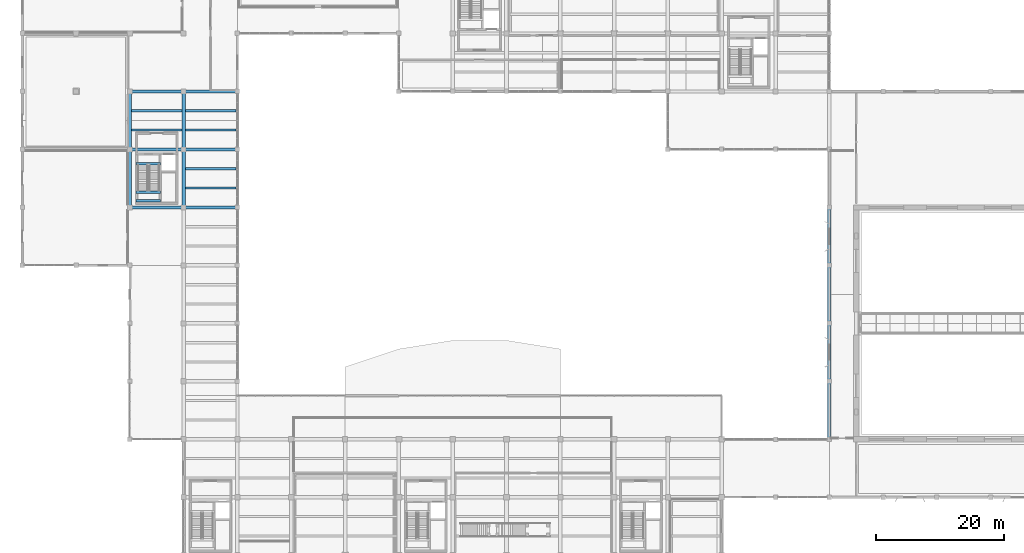
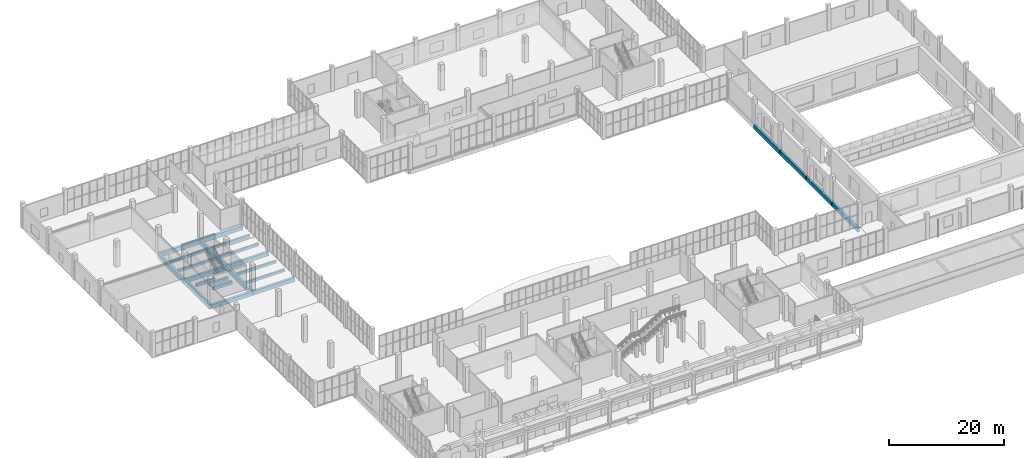
# One storey, part 34 of 91: 23 beams.
"""IFC4 building model written with IfcOpenShell, lengths in metres."""

from ifc_helpers import new_model, si_unit, direction, frame, origin, origin_2d, place, context, subcontext, project, spatial, rectangle, extrude, material, material_profile, profile_set, type_object, element, save


model = new_model("IFC4")

# Units and contexts
model_context = context("Model", 3, precision=1e-05, world=origin(), true_north=direction((0.0, 1.0)))
body_context = subcontext(model_context, "Body", "Model", "MODEL_VIEW")
ifc_project = project(units=[si_unit("LENGTHUNIT", "METRE"), si_unit("AREAUNIT", "SQUARE_METRE"), si_unit("VOLUMEUNIT", "CUBIC_METRE"), si_unit("PLANEANGLEUNIT", "RADIAN"), si_unit("MASSUNIT", "GRAM", prefix="KILO")], contexts=[model_context])

# Site, building, storey
site_placement = place(None, origin())
site = spatial("IfcSite", under=ifc_project, at=site_placement, CompositionType="ELEMENT")
building_placement = place(site_placement, origin())
building = spatial("IfcBuilding", under=site, at=building_placement, Name="Khurvash Pelagic Aquarium", CompositionType="ELEMENT")
storey_placement = place(building_placement, origin())
storey = spatial("IfcBuildingStorey", under=building, at=storey_placement, Name="L00", CompositionType="ELEMENT", Elevation=0.0)

# Beams
ifc_material_1 = material(Name="Concrete C40/50", Category="concrete")
ifc_material_profile_1 = material_profile(ifc_material_1, rectangle(XDim=0.550048828125, YDim=0.949951171875, at=origin_2d()), Name="RC550X950")
ifc_profile_set_1 = profile_set([ifc_material_profile_1], Name="Concrete C40/50")
beam_type_1 = type_object("IfcBeamType", Name="BM-02", PredefinedType="BEAM", material=ifc_profile_set_1)
for number, where, z_axis, x_axis, name in (
    (1, (16.800048828125, 65.989990234375, -0.794921875), (0.0, 1.0, 0.0), (-1.0, 0.0, 0.0), "L00 Primary Girder BM-02 00077"),
    (2, (16.800048828125, 75.0400390625, -0.794921875), (0.0, 1.0, 0.0), (-1.0, 0.0, 0.0), "L00 Primary Girder BM-02 00078"),
    (3, (25.199951171875, 65.989990234375, -0.794921875), (0.0, 1.0, 0.0), (-1.0, 0.0, 0.0), "L00 Primary Girder BM-02 00086"),
    (4, (25.199951171875, 75.0400390625, -0.794921875), (0.0, 1.0, 0.0), (-1.0, 0.0, 0.0), "L00 Primary Girder BM-02 00087"),
):
    element("IfcBeam", number, at=place(storey_placement, frame(where, z_axis=z_axis, x_axis=x_axis)), inside=storey, type_object=beam_type_1, Name=name, PredefinedType="BEAM", context=body_context, shape_type="SweptSolid", body=[
        extrude(rectangle(XDim=0.550048828125, YDim=0.949951171875, at=origin_2d()), origin(), (0.0, 0.0, 1.0), 8.969970703125),
    ])
ifc_material_profile_2 = material_profile(ifc_material_1, rectangle(XDim=0.5, YDim=0.85009765625, at=origin_2d()), Name="RC500X850")
ifc_profile_set_2 = profile_set([ifc_material_profile_2], Name="Concrete C40/50")
beam_type_2 = type_object("IfcBeamType", Name="BM-03", PredefinedType="BEAM", material=ifc_profile_set_2)
beam_1_placement = place(storey_placement, frame((16.840087890625, 65.949951171875, -0.7451171875), z_axis=(1.0, 0.0, 0.0), x_axis=(0.0, 1.0, 0.0)))
element("IfcBeam", 5, at=beam_1_placement, inside=storey, type_object=beam_type_2, Name="L00 Primary Girder BM-03 00045", PredefinedType="BEAM", context=body_context, shape_type="SweptSolid", body=[
    extrude(rectangle(XDim=0.5, YDim=0.85009765625, at=origin_2d()), origin(), (0.0, 0.0, 1.0), 8.31982421875),
])
beam_2_placement = place(storey_placement, frame((25.239990234375, 65.949951171875, -0.7451171875), z_axis=(1.0, 0.0, 0.0), x_axis=(0.0, 1.0, 0.0)))
element("IfcBeam", 6, at=beam_2_placement, inside=storey, type_object=beam_type_2, Name="L00 Primary Girder BM-03 00046", PredefinedType="BEAM", context=body_context, shape_type="SweptSolid", body=[
    extrude(rectangle(XDim=0.5, YDim=0.85009765625, at=origin_2d()), origin(), (0.0, 0.0, 1.0), 8.320068359375),
])
beam_3_placement = place(storey_placement, frame((16.840087890625, 75.0, -0.7451171875), z_axis=(1.0, 0.0, 0.0), x_axis=(0.0, 1.0, 0.0)))
element("IfcBeam", 7, at=beam_3_placement, inside=storey, type_object=beam_type_2, Name="L00 Primary Girder BM-03 00047", PredefinedType="BEAM", context=body_context, shape_type="SweptSolid", body=[
    extrude(rectangle(XDim=0.5, YDim=0.85009765625, at=origin_2d()), origin(), (0.0, 0.0, 1.0), 8.31982421875),
])
beam_4_placement = place(storey_placement, frame((25.239990234375, 75.0, -0.7451171875), z_axis=(1.0, 0.0, 0.0), x_axis=(0.0, 1.0, 0.0)))
element("IfcBeam", 8, at=beam_4_placement, inside=storey, type_object=beam_type_2, Name="L00 Primary Girder BM-03 00048", PredefinedType="BEAM", context=body_context, shape_type="SweptSolid", body=[
    extrude(rectangle(XDim=0.5, YDim=0.85009765625, at=origin_2d()), origin(), (0.0, 0.0, 1.0), 8.320068359375),
])
beam_5_placement = place(storey_placement, frame((16.840087890625, 84.050048828125, -0.7451171875), z_axis=(1.0, 0.0, 0.0), x_axis=(0.0, 1.0, 0.0)))
element("IfcBeam", 9, at=beam_5_placement, inside=storey, type_object=beam_type_2, Name="L00 Primary Girder BM-03 00049", PredefinedType="BEAM", context=body_context, shape_type="SweptSolid", body=[
    extrude(rectangle(XDim=0.5, YDim=0.85009765625, at=origin_2d()), origin(), (0.0, 0.0, 1.0), 8.31982421875),
])
beam_6_placement = place(storey_placement, frame((25.239990234375, 84.050048828125, -0.7451171875), z_axis=(1.0, 0.0, 0.0), x_axis=(0.0, 1.0, 0.0)))
element("IfcBeam", 10, at=beam_6_placement, inside=storey, type_object=beam_type_2, Name="L00 Primary Girder BM-03 00050", PredefinedType="BEAM", context=body_context, shape_type="SweptSolid", body=[
    extrude(rectangle(XDim=0.5, YDim=0.85009765625, at=origin_2d()), origin(), (0.0, 0.0, 1.0), 8.320068359375),
])
ifc_material_2 = material(Name="Concrete C35/45", Category="concrete")
ifc_material_profile_3 = material_profile(ifc_material_2, rectangle(XDim=0.39990234375, YDim=0.64990234375, at=origin_2d()), Name="RC400X650")
ifc_profile_set_3 = profile_set([ifc_material_profile_3], Name="Concrete C35/45")
beam_type_3 = type_object("IfcBeamType", Name="BM-05", PredefinedType="BEAM", material=ifc_profile_set_3)
for number, where, z_axis, x_axis, name in (
    (11, (17.780029296875, 72.72998046875, -0.64501953125), (1.0, 0.0, 0.0), (0.0, 1.0, 0.0), "L00 Stair ST-05 Header Trimmer Beam BM-05"),
    (12, (17.780029296875, 66.969970703125, 2.175048828125), (1.0, 0.0, 0.0), (0.0, 1.0, 0.0), "L00 Stair ST-05 Mid-Landing Trimmer Beam BM-05"),
    (13, (17.780029296875, 68.340087890625, 2.175048828125), (1.0, 0.0, 0.0), (0.0, 1.0, 0.0), "L00 Stair ST-05 Mid-Landing Trimmer Beam BM-05"),
):
    element("IfcBeam", number, at=place(storey_placement, frame(where, z_axis=z_axis, x_axis=x_axis)), inside=storey, type_object=beam_type_3, Name=name, PredefinedType="BEAM", context=body_context, shape_type="SweptSolid", body=[
        extrude(rectangle(XDim=0.39990234375, YDim=0.64990234375, at=origin_2d()), origin(), (0.0, 0.0, 1.0), 3.840087890625),
    ])
ifc_material_profile_4 = material_profile(ifc_material_2, rectangle(XDim=0.35009765625, YDim=0.550048828125, at=origin_2d()), Name="RC350X550")
ifc_profile_set_4 = profile_set([ifc_material_profile_4], Name="Concrete C35/45")
beam_type_4 = type_object("IfcBeamType", Name="JS-01", PredefinedType="JOIST", material=ifc_profile_set_4)
for number, where, z_axis, x_axis, name in (
    (14, (17.074951171875, 78.01708984375, -0.594970703125), (1.0, 0.0, 0.0), (0.0, 1.0, 0.0), "L00 Floor Joist JS-01 00151"),
    (15, (17.074951171875, 81.032958984375, -0.594970703125), (1.0, 0.0, 0.0), (0.0, 1.0, 0.0), "L00 Floor Joist JS-01 00152"),
):
    element("IfcBeam", number, at=place(storey_placement, frame(where, z_axis=z_axis, x_axis=x_axis)), inside=storey, type_object=beam_type_4, Name=name, PredefinedType="JOIST", context=body_context, shape_type="SweptSolid", body=[
        extrude(rectangle(XDim=0.35009765625, YDim=0.550048828125, at=origin_2d()), origin(), (0.0, 0.0, 1.0), 7.85009765625),
    ])
for number, where, z_axis, x_axis, name in (
    (16, (25.47509765625, 68.967041015625, -0.594970703125), (1.0, 0.0, 0.0), (0.0, 1.0, 0.0), "L00 Floor Joist JS-01 00165"),
    (17, (25.47509765625, 71.98291015625, -0.594970703125), (1.0, 0.0, 0.0), (0.0, 1.0, 0.0), "L00 Floor Joist JS-01 00166"),
    (18, (25.47509765625, 78.01708984375, -0.594970703125), (1.0, 0.0, 0.0), (0.0, 1.0, 0.0), "L00 Floor Joist JS-01 00167"),
    (19, (25.47509765625, 81.032958984375, -0.594970703125), (1.0, 0.0, 0.0), (0.0, 1.0, 0.0), "L00 Floor Joist JS-01 00168"),
):
    element("IfcBeam", number, at=place(storey_placement, frame(where, z_axis=z_axis, x_axis=x_axis)), inside=storey, type_object=beam_type_4, Name=name, PredefinedType="JOIST", context=body_context, shape_type="SweptSolid", body=[
        extrude(rectangle(XDim=0.35009765625, YDim=0.550048828125, at=origin_2d()), origin(), (0.0, 0.0, 1.0), 7.875),
    ])
ifc_material_profile_5 = material_profile(ifc_material_1, rectangle(XDim=0.5, YDim=0.85009765625, at=origin_2d()), Name="RC500X850")
ifc_profile_set_5 = profile_set([ifc_material_profile_5], Name="Concrete C40/50")
beam_type_5 = type_object("IfcBeamType", Name="SEB-03", PredefinedType="SPANDREL", material=ifc_profile_set_5)
for number, where, z_axis, x_axis, name in (
    (20, (126.0, 29.7900390625, -0.7451171875), (0.0, 1.0, 0.0), (-1.0, 0.0, 0.0), "L00 Primary Girder SEB-03 00137"),
    (21, (126.0, 38.840087890625, -0.7451171875), (0.0, 1.0, 0.0), (-1.0, 0.0, 0.0), "L00 Primary Girder SEB-03 00138"),
):
    element("IfcBeam", number, at=place(storey_placement, frame(where, z_axis=z_axis, x_axis=x_axis)), inside=storey, type_object=beam_type_5, Name=name, PredefinedType="SPANDREL", context=body_context, shape_type="SweptSolid", body=[
        extrude(rectangle(XDim=0.5, YDim=0.85009765625, at=origin_2d()), origin(), (0.0, 0.0, 1.0), 8.969970703125),
    ])
beam_7_placement = place(storey_placement, frame((126.0, 47.889892578125, -0.7451171875), z_axis=(0.0, 1.0, 0.0), x_axis=(-1.0, 0.0, 0.0)))
element("IfcBeam", 22, at=beam_7_placement, inside=storey, type_object=beam_type_5, Name="L00 Primary Girder SEB-03 00139", PredefinedType="SPANDREL", context=body_context, shape_type="SweptSolid", body=[
    extrude(rectangle(XDim=0.5, YDim=0.85009765625, at=origin_2d()), origin(), (0.0, 0.0, 1.0), 8.97021484375),
])
beam_8_placement = place(storey_placement, frame((126.0, 56.93994140625, -0.7451171875), z_axis=(0.0, 1.0, 0.0), x_axis=(-1.0, 0.0, 0.0)))
element("IfcBeam", 23, at=beam_8_placement, inside=storey, type_object=beam_type_5, Name="L00 Primary Girder SEB-03 00140", PredefinedType="SPANDREL", context=body_context, shape_type="SweptSolid", body=[
    extrude(rectangle(XDim=0.5, YDim=0.85009765625, at=origin_2d()), origin(), (0.0, 0.0, 1.0), 8.969970703125),
])

save(model, "model.ifc")
